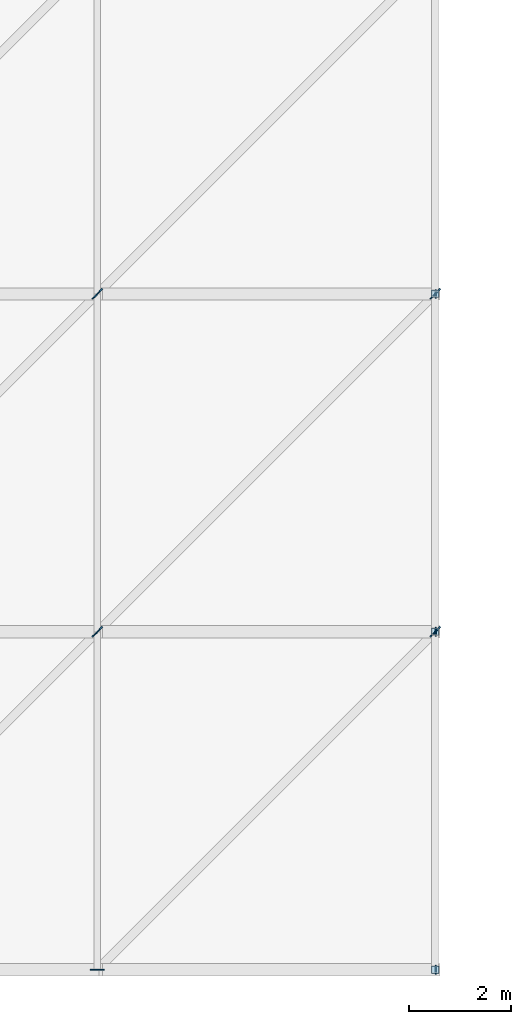
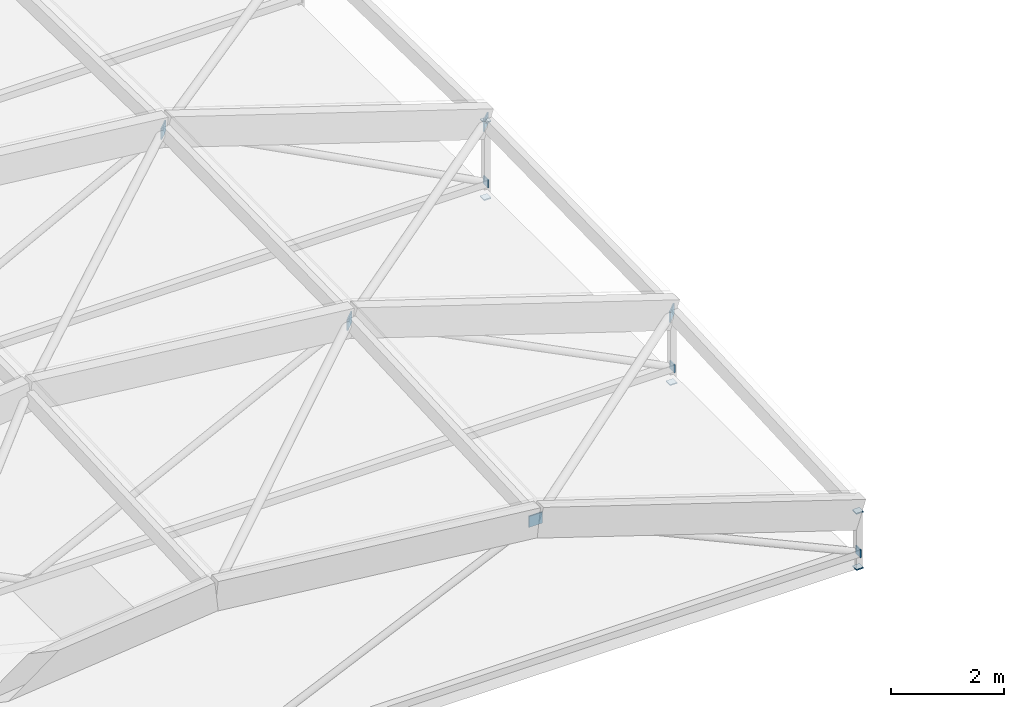
# One storey, part 123 of 157: 13 plates.
"""IFC4 building model written with IfcOpenShell, lengths in metres."""

from ifc_helpers import new_model, si_unit, direction, frame, origin, origin_2d, place, context, subcontext, project, spatial, rectangle, extrude, material, layer, layer_set, type_object, element, save


model = new_model("IFC4")

# Units and contexts
model_context = context("Model", 3, precision=1e-05, world=origin(), true_north=direction((0.0, 1.0)))
body_context = subcontext(model_context, "Body", "Model", "MODEL_VIEW")
ifc_project = project(units=[si_unit("LENGTHUNIT", "METRE"), si_unit("AREAUNIT", "SQUARE_METRE"), si_unit("VOLUMEUNIT", "CUBIC_METRE"), si_unit("PLANEANGLEUNIT", "RADIAN"), si_unit("MASSUNIT", "GRAM", prefix="KILO")], contexts=[model_context])

# Site, building, storey
site_placement = place(None, origin())
site = spatial("IfcSite", under=ifc_project, at=site_placement, CompositionType="ELEMENT")
building_placement = place(site_placement, origin())
building = spatial("IfcBuilding", under=site, at=building_placement, Name="Karori Crest Natural Sciences Institute", CompositionType="ELEMENT")
storey_placement = place(building_placement, frame((0.0, 0.0, 13.300048828125)))
storey = spatial("IfcBuildingStorey", under=building, at=storey_placement, Name="L03", CompositionType="ELEMENT", Elevation=13.300048828125)

# Plates
ifc_material = material(Name="Structural steel AS/NZS 3679.1 Grade 350", Category="steel")
ifc_layer_1 = layer(ifc_material, 0.02490234375, Name="Structural steel AS/NZS 3679.1 Grade 350")
ifc_layer_set_1 = layer_set([ifc_layer_1], Name="Structural steel AS/NZS 3679.1 Grade 350")
plate_type_1 = type_object("IfcPlateType", Name="PLT-06", PredefinedType="SHEET", material=ifc_layer_set_1)
plate_1_placement = place(storey_placement, frame((27.21240234375, 0.800048828125, 0.034912109375), z_axis=(0.0, 0.0, 1.0), x_axis=(1.0, 0.0, 0.0)))
element("IfcPlate", 1, at=plate_1_placement, inside=storey, type_object=plate_type_1, Name="Hollow section end cap EP-0264", PredefinedType="SHEET", context=body_context, shape_type="SweptSolid", body=[
    extrude(rectangle(XDim=0.02490234375, YDim=0.169921875, at=origin_2d()), origin(), (0.0, 0.0, 1.0), 0.169921875),
])
plate_2_placement = place(storey_placement, frame((20.60009765625, 0.800048828125, 3.00732421875), z_axis=(0.0, 0.0, 1.0), x_axis=(1.0, 0.0, 0.0)))
element("IfcPlate", 2, at=plate_2_placement, inside=storey, type_object=plate_type_1, Name="Brace gusset plate EP-0269", PredefinedType="SHEET", context=body_context, shape_type="SweptSolid", body=[
    extrude(rectangle(XDim=0.280029296875, YDim=0.02490234375, at=origin_2d()), origin(), (0.0, 0.0, 1.0), 0.239990234375),
])
for number, where, z_axis, x_axis, name in (
    (3, (27.21240234375, 7.39990234375, 0.034912109375), (0.0, 0.0, 1.0), (1.0, 0.0, 0.0), "Hollow section end cap EP-0277"),
    (4, (27.21240234375, 14.0, 0.034912109375), (0.0, 0.0, 1.0), (1.0, 0.0, 0.0), "Hollow section end cap EP-0288"),
):
    element("IfcPlate", number, at=place(storey_placement, frame(where, z_axis=z_axis, x_axis=x_axis)), inside=storey, type_object=plate_type_1, Name=name, PredefinedType="SHEET", context=body_context, shape_type="SweptSolid", body=[
        extrude(rectangle(XDim=0.02490234375, YDim=0.169921875, at=origin_2d()), origin(), (0.0, 0.0, 1.0), 0.169921875),
    ])
ifc_layer_2 = layer(ifc_material, 0.02490234375, Name="Structural steel AS/NZS 3679.1 Grade 350")
ifc_layer_set_2 = layer_set([ifc_layer_2], Name="Structural steel AS/NZS 3679.1 Grade 350")
plate_type_2 = type_object("IfcPlateType", Name="PLT-06-EL", PredefinedType="SHEET", material=ifc_layer_set_2)
for number, where, z_axis, x_axis, name in (
    (5, (27.199951171875, 0.800048828125, -0.22509765625), (0.0, 0.0, 1.0), (1.0, 0.0, 0.0), "Hollow section end cap EP-0261"),
    (6, (27.199951171875, 0.800048828125, 0.989990234375), (0.0, 0.0, 1.0), (1.0, 0.0, 0.0), "Hollow section end cap EP-0262"),
):
    element("IfcPlate", number, at=place(storey_placement, frame(where, z_axis=z_axis, x_axis=x_axis)), inside=storey, type_object=plate_type_2, Name=name, PredefinedType="SHEET", context=body_context, shape_type="SweptSolid", body=[
        extrude(rectangle(XDim=0.14501953125, YDim=0.14501953125, at=origin_2d()), origin(), (0.0, 0.0, 1.0), 0.02490234375),
    ])
for number, where, z_axis, x_axis, name in (
    (7, (20.60009765625, 7.39990234375, 3.3056640625), (0.0, 0.0, 1.0), (0.707106781187, 0.707106781187, 0.0), "Brace gusset plate EP-0271"),
    (8, (27.199951171875, 7.39990234375, 1.16796875), (0.0, 0.0, 1.0), (0.707106781187, 0.707106781187, 0.0), "Brace gusset plate EP-0272"),
):
    element("IfcPlate", number, at=place(storey_placement, frame(where, z_axis=z_axis, x_axis=x_axis)), inside=storey, type_object=plate_type_2, Name=name, PredefinedType="SHEET", context=body_context, shape_type="SweptSolid", body=[
        extrude(rectangle(XDim=0.280029296875, YDim=0.02490234375, at=origin_2d()), origin(), (0.0, 0.0, 1.0), 0.239990234375),
    ])
plate_3_placement = place(storey_placement, frame((27.199951171875, 7.39990234375, -0.22509765625), z_axis=(0.0, 0.0, 1.0), x_axis=(1.0, 0.0, 0.0)))
element("IfcPlate", 9, at=plate_3_placement, inside=storey, type_object=plate_type_2, Name="Hollow section end cap EP-0275", PredefinedType="SHEET", context=body_context, shape_type="SweptSolid", body=[
    extrude(rectangle(XDim=0.14501953125, YDim=0.14501953125, at=origin_2d()), origin(), (0.0, 0.0, 1.0), 0.02490234375),
])
for number, where, z_axis, x_axis, name in (
    (10, (20.60009765625, 14.0, 3.4375), (0.0, 0.0, 1.0), (0.707106781187, 0.707106781187, 0.0), "Brace gusset plate EP-0281"),
    (11, (27.199951171875, 14.0, 1.2998046875), (0.0, 0.0, 1.0), (0.707106781187, 0.707106781187, 0.0), "Brace gusset plate EP-0282"),
):
    element("IfcPlate", number, at=place(storey_placement, frame(where, z_axis=z_axis, x_axis=x_axis)), inside=storey, type_object=plate_type_2, Name=name, PredefinedType="SHEET", context=body_context, shape_type="SweptSolid", body=[
        extrude(rectangle(XDim=0.280029296875, YDim=0.02490234375, at=origin_2d()), origin(), (0.0, 0.0, 1.0), 0.239990234375),
    ])
for number, where, z_axis, x_axis, name in (
    (12, (27.199951171875, 14.0, -0.22509765625), (0.0, 0.0, 1.0), (1.0, 0.0, 0.0), "Hollow section end cap EP-0285"),
    (13, (27.199951171875, 14.0, 1.43994140625), (0.0, 0.0, 1.0), (1.0, 0.0, 0.0), "Hollow section end cap EP-0286"),
):
    element("IfcPlate", number, at=place(storey_placement, frame(where, z_axis=z_axis, x_axis=x_axis)), inside=storey, type_object=plate_type_2, Name=name, PredefinedType="SHEET", context=body_context, shape_type="SweptSolid", body=[
        extrude(rectangle(XDim=0.14501953125, YDim=0.14501953125, at=origin_2d()), origin(), (0.0, 0.0, 1.0), 0.02490234375),
    ])

save(model, "model.ifc")
